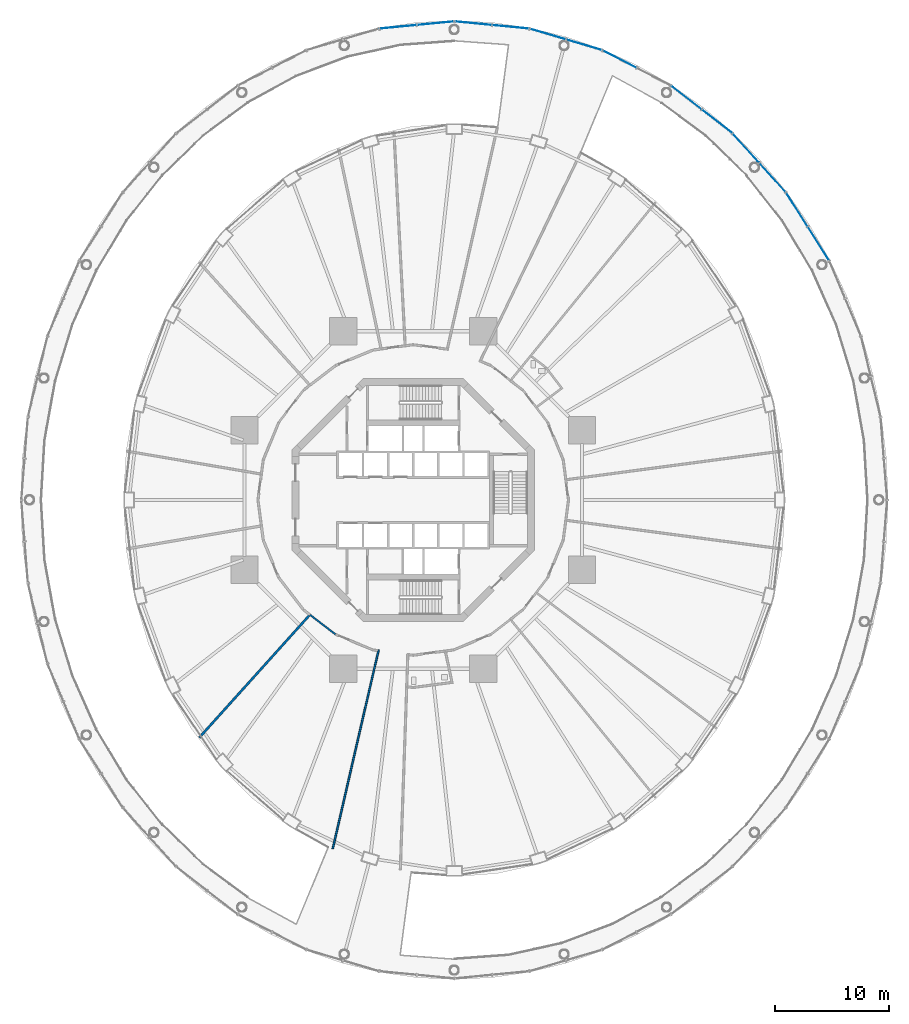
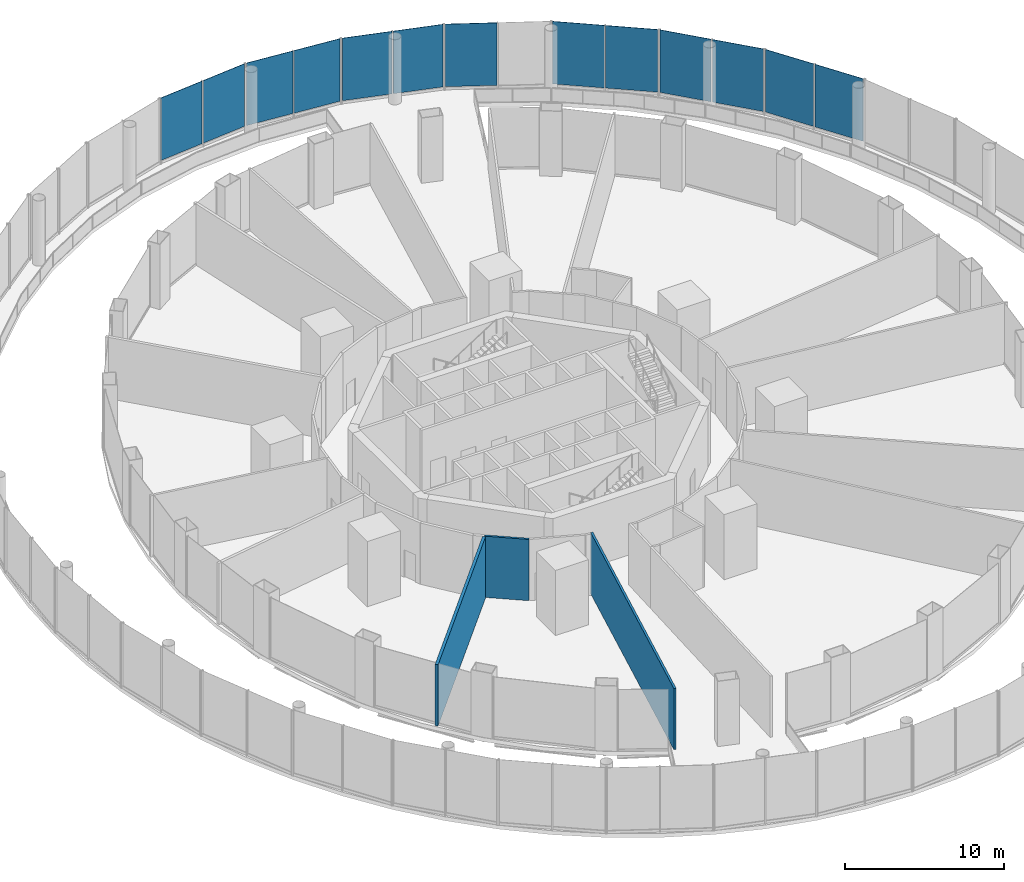
# One storey, part 41 of 48: 13 plates, 3 walls, 7 elements without a shape of their own.
"""IFC4 building model written with IfcOpenShell, lengths in metres."""

import ifcopenshell
import ifcopenshell.guid

model = None  # the IFC model being written
_history = None  # IfcOwnerHistory: only IFC2X3 demands one
_inside = {}  # id of a spatial element -> (the spatial element, [elements in it])
_under = {}  # id of a project, library or spatial element -> (it, [spatial elements below it])
_declared = {}  # id of a project -> (the project, [libraries it declares])
_typed = {}  # id of a type object -> (the type object, [elements of that type])
_made_of = {}  # id of a material, layer set ... -> (it, [elements and type objects made of it])


def new_model(schema):
    """Start an empty IFC model of exactly this schema.

    Asked for "IFC4X3", IfcOpenShell would pick the latest addendum, in which some entities
    have other attributes; the version numbers below select the first issue.
    IFC2X3 requires an IfcOwnerHistory on every rooted entity: one is made here for all.
    """
    global model, _history
    if schema == "IFC4X3":
        model = ifcopenshell.file(schema_version=(4, 3, 0, 0))
    else:
        model = ifcopenshell.file(schema=schema)
    _inside.clear()
    _under.clear()
    _declared.clear()
    _typed.clear()
    _made_of.clear()
    _history = None
    if model.schema == "IFC2X3":
        org = make("IfcOrganization", Name="unknown")
        user = make(
            "IfcPersonAndOrganization",
            ThePerson=make("IfcPerson", FamilyName="unknown"),
            TheOrganization=org,
        )
        app = make(
            "IfcApplication",
            ApplicationDeveloper=org,
            Version="unknown",
            ApplicationFullName="unknown",
            ApplicationIdentifier="unknown",
        )
        _history = make(
            "IfcOwnerHistory",
            OwningUser=user,
            OwningApplication=app,
            ChangeAction="ADDED",
            CreationDate=0,
        )
    return model


def make(cls, **values):
    """One entity of the class cls with the attributes given. An attribute that is None is left unset."""
    return model.create_entity(
        cls, **{name: value for name, value in values.items() if value is not None}
    )


def rooted(cls, **values):
    """An entity with a GlobalId (a new one), such as an element, a storey or a relation."""
    return make(cls, GlobalId=ifcopenshell.guid.new(), OwnerHistory=_history, **values)


def si_unit(unit_type, name, prefix=None):
    """IfcSIUnit, for example si_unit("LENGTHUNIT", "METRE", prefix="MILLI")."""
    return make("IfcSIUnit", UnitType=unit_type, Prefix=prefix, Name=name)


def assignment(units):
    """IfcUnitAssignment: the units of a project."""
    return None if units is None else make("IfcUnitAssignment", Units=units)


def point(xyz):
    """IfcCartesianPoint."""
    return None if xyz is None else make("IfcCartesianPoint", Coordinates=xyz)


def direction(xyz):
    """IfcDirection."""
    return None if xyz is None else make("IfcDirection", DirectionRatios=xyz)


def frame(location, z_axis=None, x_axis=None):
    """IfcAxis2Placement3D, a coordinate frame: its origin and axes. An axis left out is left unset."""
    return make(
        "IfcAxis2Placement3D",
        Location=point(location),
        Axis=direction(z_axis),
        RefDirection=direction(x_axis),
    )


def frame_2d(location, x_axis=None):
    """IfcAxis2Placement2D, a coordinate frame in the plane: its origin and x axis."""
    return make(
        "IfcAxis2Placement2D", Location=point(location), RefDirection=direction(x_axis)
    )


def origin():
    """The frame at (0, 0, 0) with its axes left unset."""
    return frame((0.0, 0.0, 0.0))


def origin_2d():
    """The frame at (0, 0) in the plane with its x axis left unset."""
    return frame_2d((0.0, 0.0))


def place(relative_to, where):
    """IfcLocalPlacement: puts the frame where relative to a parent placement (None: the world)."""
    return make(
        "IfcLocalPlacement", PlacementRelTo=relative_to, RelativePlacement=where
    )


def context(
    kind, dimensions, precision=None, world=None, true_north=None, identifier=None
):
    """IfcGeometricRepresentationContext, for example the 3D "Model" context."""
    return make(
        "IfcGeometricRepresentationContext",
        ContextIdentifier=identifier,
        ContextType=kind,
        CoordinateSpaceDimension=dimensions,
        Precision=precision,
        WorldCoordinateSystem=world,
        TrueNorth=true_north,
    )


def subcontext(parent, identifier, kind, view, scale=None):
    """IfcGeometricRepresentationSubContext, for example "Body" below "Model"."""
    return make(
        "IfcGeometricRepresentationSubContext",
        ContextIdentifier=identifier,
        ContextType=kind,
        ParentContext=parent,
        TargetScale=scale,
        TargetView=view,
    )


def project(units=None, contexts=None):
    """IfcProject with its units and contexts."""
    return rooted(
        "IfcProject",
        Name="project",
        RepresentationContexts=contexts,
        UnitsInContext=assignment(units),
    )


def spatial(cls, under=None, at=None, **own):
    """A site, building, storey or space (cls), placed at a placement, below another one or the project."""
    s = rooted(cls, ObjectPlacement=at, **own)
    if under is not None:
        _under.setdefault(under.id(), (under, []))[1].append(s)
    return s


def profile(cls, at=None, kind="AREA", **sizes):
    """A parametric profile (cls). Its sizes go by their IFC names, for example OverallWidth=200.0."""
    return make(cls, ProfileType=kind, Position=at, **sizes)


def rectangle(**sizes):
    """IfcRectangleProfileDef."""
    return profile("IfcRectangleProfileDef", **sizes)


def extrude(swept, where, along, depth):
    """IfcExtrudedAreaSolid: the profile swept, set in the frame where, extruded along a direction by depth."""
    return make(
        "IfcExtrudedAreaSolid",
        SweptArea=swept,
        Position=where,
        ExtrudedDirection=direction(along),
        Depth=depth,
    )


def shape(context_of_items, identifier, shape_type, items):
    """IfcShapeRepresentation: the items that make up one representation, for example the "Body"."""
    return make(
        "IfcShapeRepresentation",
        ContextOfItems=context_of_items,
        RepresentationIdentifier=identifier,
        RepresentationType=shape_type,
        Items=items,
    )


def material(Name=None, Category=None):
    """IfcMaterial."""
    return make("IfcMaterial", Name=Name, Category=Category)


def layer(
    of_material, thickness, ventilated=None, Name=None, Category=None, Priority=None
):
    """IfcMaterialLayer: one layer of a wall or slab, of a material (None: an air gap)."""
    return make(
        "IfcMaterialLayer",
        Material=of_material,
        LayerThickness=thickness,
        IsVentilated=ventilated,
        Name=Name,
        Category=Category,
        Priority=Priority,
    )


def layer_set(layers, Name=None):
    """IfcMaterialLayerSet."""
    return make("IfcMaterialLayerSet", MaterialLayers=layers, LayerSetName=Name)


def made_of(thing, what):
    """Note that an element or type object is made of a material, layer set ...; save() writes the relation."""
    if what is not None:
        _made_of.setdefault(what.id(), (what, []))[1].append(thing)
    return thing


def type_object(cls, material=None, **own):
    """A type object (cls), such as IfcWallType, which elements share."""
    return made_of(rooted(cls, **own), material)


def element(
    cls,
    number,
    at=None,
    inside=None,
    cuts=None,
    type_object=None,
    material=None,
    context=None,
    identifier="Body",
    shape_type=None,
    held_by="IfcProductDefinitionShape",
    body=None,
    shapes=None,
    **own,
):
    """One element of the class cls, such as IfcWall. Its Tag is "e" and its number.

    at: its placement. inside: the storey or other place that contains it. cuts: it is an
    opening in that element (IfcRelVoidsElement). A single representation is given by context,
    identifier, shape_type and body (its items); several are given by shapes. held_by: the class
    of the entity that holds the representations. save() writes the other relations.
    """
    e = rooted(cls, Tag="e%d" % number, ObjectPlacement=at, **own)
    if body is not None:
        shapes = [shape(context, identifier, shape_type, body)]
    if shapes is not None:
        e.Representation = make(held_by, Representations=shapes)
    if inside is not None:
        _inside.setdefault(inside.id(), (inside, []))[1].append(e)
    if cuts is not None:
        rooted(
            "IfcRelVoidsElement", RelatingBuildingElement=cuts, RelatedOpeningElement=e
        )
    if type_object is not None:
        _typed.setdefault(type_object.id(), (type_object, []))[1].append(e)
    return made_of(e, material)


def aggregate(whole, parts):
    """IfcRelAggregates: a whole, such as a stair, and the parts it consists of."""
    return rooted("IfcRelAggregates", RelatingObject=whole, RelatedObjects=parts)


def save(model, path):
    """Write the relations noted so far, then the file.

    IfcRelAggregates (storeys below a building ...), IfcRelContainedInSpatialStructure (elements
    in a storey), IfcRelDefinesByType, IfcRelAssociatesMaterial and IfcRelDeclares: one each for
    every whole, place, type object, material and project.
    """
    for whole, parts in _under.values():
        aggregate(whole, parts)
    for where, things in _inside.values():
        rooted(
            "IfcRelContainedInSpatialStructure",
            RelatedElements=things,
            RelatingStructure=where,
        )
    for kind, things in _typed.values():
        rooted("IfcRelDefinesByType", RelatedObjects=things, RelatingType=kind)
    for what, things in _made_of.values():
        rooted("IfcRelAssociatesMaterial", RelatedObjects=things, RelatingMaterial=what)
    for by, libraries in _declared.values():
        rooted("IfcRelDeclares", RelatingContext=by, RelatedDefinitions=libraries)
    model.write(path)


model = new_model("IFC4")

# Units and contexts
model_context = context("Model", 3, precision=1e-05, world=origin(), true_north=direction((0.0, 1.0)))
body_context = subcontext(model_context, "Body", "Model", "MODEL_VIEW")
ifc_project = project(units=[si_unit("LENGTHUNIT", "METRE"), si_unit("AREAUNIT", "SQUARE_METRE"), si_unit("VOLUMEUNIT", "CUBIC_METRE"), si_unit("PLANEANGLEUNIT", "RADIAN"), si_unit("MASSUNIT", "GRAM", prefix="KILO")], contexts=[model_context])

# Site, building, storey
site_placement = place(None, origin())
site = spatial("IfcSite", under=ifc_project, at=site_placement, CompositionType="ELEMENT")
building_placement = place(site_placement, origin())
building = spatial("IfcBuilding", under=site, at=building_placement, Name="Nagisa Residences", CompositionType="ELEMENT")
storey_placement = place(building_placement, frame((0.0, 0.0, 12.0)))
storey = spatial("IfcBuildingStorey", under=building, at=storey_placement, Name="L02", CompositionType="ELEMENT", Elevation=12.0)

# Curtain wall, plates
ifc_material_1 = material(Name="Stainless steel curtain wall system", Category="steel")
ifc_layer_1 = layer(ifc_material_1, 0.159912109375)
ifc_layer_set_1 = layer_set([ifc_layer_1], Name="CW3 CURTAIN WALL")
curtain_wall_type = type_object("IfcCurtainWallType", Name="CW3 CURTAIN WALL", PredefinedType="NOTDEFINED", material=ifc_layer_set_1)
curtain_wall_1_placement = place(storey_placement, origin())
curtain_wall_1 = element("IfcCurtainWall", 1, at=curtain_wall_1_placement, inside=storey, type_object=curtain_wall_type, Name="cw:CW3:L02:03", PredefinedType="NOTDEFINED")
ifc_material_2 = material(Name="Low-iron laminated glass", Category="glass")
ifc_layer_2 = layer(ifc_material_2, 0.028076171875)
ifc_layer_set_2 = layer_set([ifc_layer_2], Name="CW3 GLASS PANEL")
plate_type = type_object("IfcPlateType", Name="CW3 GLASS PANEL", PredefinedType="CURTAIN_PANEL", material=ifc_layer_set_2)
plate_1_placement = place(storey_placement, frame((35.48095703125, 22.473388671875, 0.2001953125), z_axis=(0.0, 0.0, 1.0), x_axis=(-0.535165286856, 0.844747368001, 0.0)))
plate_1 = element("IfcPlate", 2, at=plate_1_placement, type_object=plate_type, Name="CW3 panel", PredefinedType="CURTAIN_PANEL", context=body_context, shape_type="SweptSolid", body=[
    extrude(rectangle(XDim=3.4296875, YDim=0.028076171875, at=origin_2d()), origin(), (0.0, 0.0, 1.0), 4.800048828125),
])
plate_2_placement = place(storey_placement, frame((33.6025390625, 25.43798828125, 0.2001953125), z_axis=(0.0, 0.0, 1.0), x_axis=(-0.535165286856, 0.844747368001, 0.0)))
plate_2 = element("IfcPlate", 3, at=plate_2_placement, type_object=plate_type, Name="CW3 panel", PredefinedType="CURTAIN_PANEL", context=body_context, shape_type="SweptSolid", body=[
    extrude(rectangle(XDim=3.4296875, YDim=0.028076171875, at=origin_2d()), origin(), (0.0, 0.0, 1.0), 4.800048828125),
])
aggregate(curtain_wall_1, [plate_1, plate_2])

curtain_wall_2_placement = place(storey_placement, origin())
curtain_wall_2 = element("IfcCurtainWall", 4, at=curtain_wall_2_placement, inside=storey, type_object=curtain_wall_type, Name="cw:CW3:L02:04", PredefinedType="NOTDEFINED")
plate_3_placement = place(storey_placement, frame((31.466064453125, 28.25244140625, 0.2001953125), z_axis=(0.0, 0.0, 1.0), x_axis=(-0.670913323971, 0.741535779122, 0.0)))
plate_3 = element("IfcPlate", 5, at=plate_3_placement, type_object=plate_type, Name="CW3 panel", PredefinedType="CURTAIN_PANEL", context=body_context, shape_type="SweptSolid", body=[
    extrude(rectangle(XDim=3.37060546875, YDim=0.028076171875, at=origin_2d()), origin(), (0.0, 0.0, 1.0), 4.800048828125),
])
plate_4_placement = place(storey_placement, frame((29.15087890625, 30.811279296875, 0.2001953125), z_axis=(0.0, 0.0, 1.0), x_axis=(-0.670913323971, 0.741535779122, 0.0)))
plate_4 = element("IfcPlate", 6, at=plate_4_placement, type_object=plate_type, Name="CW3 panel", PredefinedType="CURTAIN_PANEL", context=body_context, shape_type="SweptSolid", body=[
    extrude(rectangle(XDim=3.37060546875, YDim=0.028076171875, at=origin_2d()), origin(), (0.0, 0.0, 1.0), 4.800048828125),
])
aggregate(curtain_wall_2, [plate_3, plate_4])

curtain_wall_3_placement = place(storey_placement, origin())
curtain_wall_3 = element("IfcCurtainWall", 7, at=curtain_wall_3_placement, inside=storey, type_object=curtain_wall_type, Name="cw:CW3:L02:05", PredefinedType="NOTDEFINED")
plate_5_placement = place(storey_placement, frame((26.604736328125, 33.172607421875, 0.2001953125), z_axis=(0.0, 0.0, 1.0), x_axis=(-0.790830864353, 0.612034757172, 0.0)))
plate_5 = element("IfcPlate", 8, at=plate_5_placement, type_object=plate_type, Name="CW3 panel", PredefinedType="CURTAIN_PANEL", context=body_context, shape_type="SweptSolid", body=[
    extrude(rectangle(XDim=3.310546875, YDim=0.028076171875, at=origin_2d()), origin(), (0.0, 0.0, 1.0), 4.800048828125),
])
plate_6_placement = place(storey_placement, frame((23.92333984375, 35.247802734375, 0.2001953125), z_axis=(0.0, 0.0, 1.0), x_axis=(-0.790830864353, 0.612034757172, 0.0)))
plate_6 = element("IfcPlate", 9, at=plate_6_placement, type_object=plate_type, Name="CW3 panel", PredefinedType="CURTAIN_PANEL", context=body_context, shape_type="SweptSolid", body=[
    extrude(rectangle(XDim=3.310546875, YDim=0.028076171875, at=origin_2d()), origin(), (0.0, 0.0, 1.0), 4.800048828125),
])
aggregate(curtain_wall_3, [plate_5, plate_6])

# Curtain wall, plate
curtain_wall_4_placement = place(storey_placement, origin())
curtain_wall_4 = element("IfcCurtainWall", 10, at=curtain_wall_4_placement, inside=storey, type_object=curtain_wall_type, Name="cw:CW3:L02:06", PredefinedType="NOTDEFINED")
plate_7_placement = place(storey_placement, frame((18.07861328125, 38.61328125, 0.2001953125), z_axis=(0.0, 0.0, 1.0), x_axis=(-0.888887270285, 0.45812598783, 0.0)))
plate_7 = element("IfcPlate", 11, at=plate_7_placement, type_object=plate_type, Name="CW3 panel", PredefinedType="CURTAIN_PANEL", context=body_context, shape_type="SweptSolid", body=[
    extrude(rectangle(XDim=3.2568359375, YDim=0.028076171875, at=origin_2d()), origin(), (0.0, 0.0, 1.0), 4.800048828125),
])
aggregate(curtain_wall_4, [plate_7])

# Curtain wall, plates
curtain_wall_5_placement = place(storey_placement, origin())
curtain_wall_5 = element("IfcCurtainWall", 12, at=curtain_wall_5_placement, inside=storey, type_object=curtain_wall_type, Name="cw:CW3:L02:07", PredefinedType="NOTDEFINED")
plate_8_placement = place(storey_placement, frame((14.955322265625, 39.869873046875, 0.2001953125), z_axis=(0.0, 0.0, 1.0), x_axis=(-0.958835171393, 0.283963226669, 0.0)))
plate_8 = element("IfcPlate", 13, at=plate_8_placement, type_object=plate_type, Name="CW3 panel", PredefinedType="CURTAIN_PANEL", context=body_context, shape_type="SweptSolid", body=[
    extrude(rectangle(XDim=3.21630859375, YDim=0.028076171875, at=origin_2d()), origin(), (0.0, 0.0, 1.0), 4.800048828125),
])
plate_9_placement = place(storey_placement, frame((11.794677734375, 40.805908203125, 0.2001953125), z_axis=(0.0, 0.0, 1.0), x_axis=(-0.958835171393, 0.283963226669, 0.0)))
plate_9 = element("IfcPlate", 14, at=plate_9_placement, type_object=plate_type, Name="CW3 panel", PredefinedType="CURTAIN_PANEL", context=body_context, shape_type="SweptSolid", body=[
    extrude(rectangle(XDim=3.21630859375, YDim=0.028076171875, at=origin_2d()), origin(), (0.0, 0.0, 1.0), 4.800048828125),
])
aggregate(curtain_wall_5, [plate_8, plate_9])

curtain_wall_6_placement = place(storey_placement, origin())
curtain_wall_6 = element("IfcCurtainWall", 15, at=curtain_wall_6_placement, inside=storey, type_object=curtain_wall_type, Name="cw:CW3:L02:08", PredefinedType="NOTDEFINED")
plate_10_placement = place(storey_placement, frame((8.521484375, 41.44384765625, 0.2001953125), z_axis=(0.0, 0.0, 1.0), x_axis=(-0.995357282289, 0.096249055035, 0.0)))
plate_10 = element("IfcPlate", 16, at=plate_10_placement, type_object=plate_type, Name="CW3 panel", PredefinedType="CURTAIN_PANEL", context=body_context, shape_type="SweptSolid", body=[
    extrude(rectangle(XDim=3.19482421875, YDim=0.028076171875, at=origin_2d()), origin(), (0.0, 0.0, 1.0), 4.800048828125),
])
plate_11_placement = place(storey_placement, frame((5.261962890625, 41.759033203125, 0.2001953125), z_axis=(0.0, 0.0, 1.0), x_axis=(-0.995357282289, 0.096249055035, 0.0)))
plate_11 = element("IfcPlate", 17, at=plate_11_placement, type_object=plate_type, Name="CW3 panel", PredefinedType="CURTAIN_PANEL", context=body_context, shape_type="SweptSolid", body=[
    extrude(rectangle(XDim=3.19482421875, YDim=0.028076171875, at=origin_2d()), origin(), (0.0, 0.0, 1.0), 4.800048828125),
])
aggregate(curtain_wall_6, [plate_10, plate_11])

curtain_wall_7_placement = place(storey_placement, origin())
curtain_wall_7 = element("IfcCurtainWall", 18, at=curtain_wall_7_placement, inside=storey, type_object=curtain_wall_type, Name="cw:CW3:L02:09", PredefinedType="NOTDEFINED")
plate_12_placement = place(storey_placement, frame((1.938232421875, 41.759033203125, 0.2001953125), z_axis=(0.0, 0.0, 1.0), x_axis=(-0.995357282289, -0.096249055035, 0.0)))
plate_12 = element("IfcPlate", 19, at=plate_12_placement, type_object=plate_type, Name="CW3 panel", PredefinedType="CURTAIN_PANEL", context=body_context, shape_type="SweptSolid", body=[
    extrude(rectangle(XDim=3.19482421875, YDim=0.028076171875, at=origin_2d()), origin(), (0.0, 0.0, 1.0), 4.800048828125),
])
plate_13_placement = place(storey_placement, frame((-1.3212890625, 41.44384765625, 0.2001953125), z_axis=(0.0, 0.0, 1.0), x_axis=(-0.995357282289, -0.096249055035, 0.0)))
plate_13 = element("IfcPlate", 20, at=plate_13_placement, type_object=plate_type, Name="CW3 panel", PredefinedType="CURTAIN_PANEL", context=body_context, shape_type="SweptSolid", body=[
    extrude(rectangle(XDim=3.19482421875, YDim=0.028076171875, at=origin_2d()), origin(), (0.0, 0.0, 1.0), 4.800048828125),
])
aggregate(curtain_wall_7, [plate_12, plate_13])

# Walls
ifc_material_3 = material(Name="Gypsum board on steel studs", Category="steel")
ifc_layer_3 = layer(ifc_material_3, 0.199951171875)
ifc_layer_set_3 = layer_set([ifc_layer_3], Name="Plant room wall EI120 200")
wall_type_1 = type_object("IfcWallType", Name="Plant room wall EI120 200", PredefinedType="PARTITIONING", material=ifc_layer_set_3)
wall_1_placement = place(storey_placement, frame((-18.73095703125, -20.802734375, 0.0), z_axis=(0.0, 0.0, 1.0), x_axis=(0.669127133422, 0.743147952509, 0.0)))
element("IfcWall", 21, at=wall_1_placement, inside=storey, type_object=wall_type_1, Name="wall:L02:am050", PredefinedType="PARTITIONING", context=body_context, shape_type="SweptSolid", body=[
    extrude(rectangle(XDim=14.3671875, YDim=0.199951171875, at=frame_2d((7.18359375, 0.0))), origin(), (0.0, 0.0, 1.0), 4.699951171875),
])
ifc_material_4 = material(Name="Gypsum board on steel studs", Category="steel")
ifc_layer_4 = layer(ifc_material_4, 0.14990234375)
ifc_layer_set_4 = layer_set([ifc_layer_4], Name="Room partition EI60 150")
wall_type_2 = type_object("IfcWallType", Name="Room partition EI60 150", PredefinedType="PARTITIONING", material=ifc_layer_set_4)
wall_2_placement = place(storey_placement, frame((-7.053466796875, -30.552490234375, 0.0), z_axis=(0.0, 0.0, 1.0), x_axis=(0.224943248141, 0.974371866956, 0.0)))
element("IfcWall", 22, at=wall_2_placement, inside=storey, type_object=wall_type_2, Name="wall:L02:am007", PredefinedType="PARTITIONING", context=body_context, shape_type="SweptSolid", body=[
    extrude(rectangle(XDim=17.88525390625, YDim=0.14990234375, at=frame_2d((8.942626953125, 0.0))), origin(), (0.0, 0.0, 1.0), 4.699951171875),
])
wall_3_placement = place(storey_placement, frame((-6.809326171875, -11.770751953125, 0.0), z_axis=(0.0, 0.0, 1.0), x_axis=(-0.793365630445, 0.608745411834, 0.0)))
element("IfcWall", 23, at=wall_3_placement, inside=storey, type_object=wall_type_2, Name="wall:L02:am008", PredefinedType="PARTITIONING", context=body_context, shape_type="SweptSolid", body=[
    extrude(rectangle(XDim=2.82470703125, YDim=0.14990234375, at=frame_2d((1.412353515625, 0.0))), origin(), (0.0, 0.0, 1.0), 4.699951171875),
])

save(model, "model.ifc")
